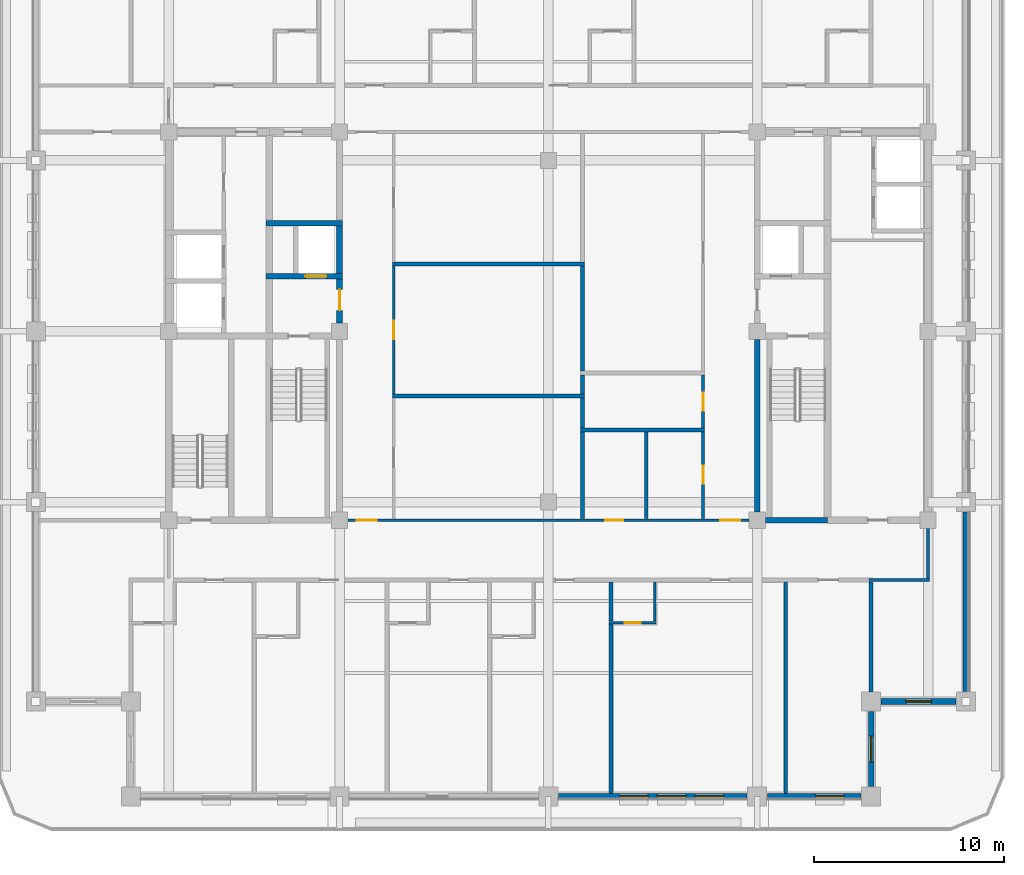
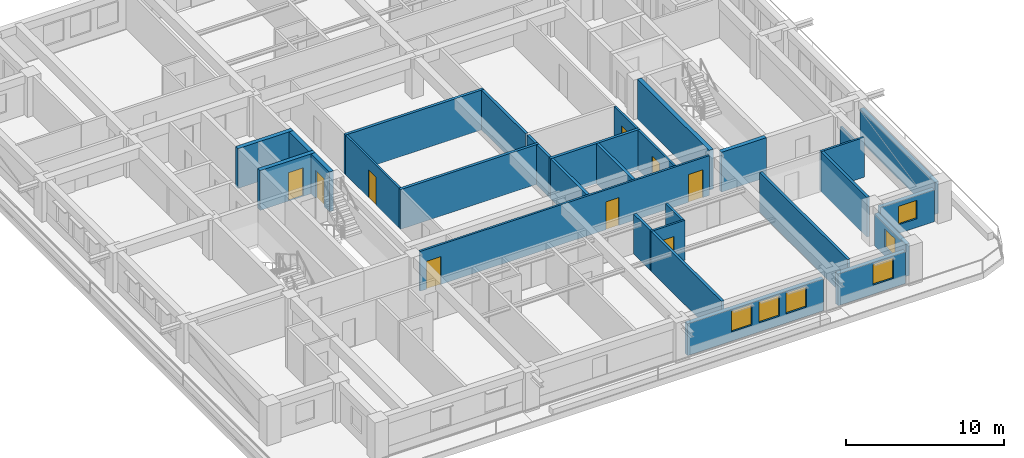
# One storey, part 4 of 14: 31 walls, 9 doors, 6 windows, 15 openings.
"""IFC4 building model written with IfcOpenShell, lengths in metres."""

from ifc_helpers import new_model, si_unit, direction, frame, frame_2d, origin, place, context, subcontext, project, spatial, rectangle, extrude, material, layer, layer_set, type_object, element, fill, save


model = new_model("IFC4")

# Units and contexts
model_context = context("Model", 3, precision=1e-05, world=origin(), true_north=direction((0.0, 1.0)))
body_context = subcontext(model_context, "Body", "Model", "MODEL_VIEW")
ifc_project = project(units=[si_unit("LENGTHUNIT", "METRE"), si_unit("AREAUNIT", "SQUARE_METRE"), si_unit("VOLUMEUNIT", "CUBIC_METRE"), si_unit("PLANEANGLEUNIT", "RADIAN"), si_unit("MASSUNIT", "GRAM", prefix="KILO")], contexts=[model_context])

# Site, building, storey
site_placement = place(None, origin())
site = spatial("IfcSite", under=ifc_project, at=site_placement, CompositionType="ELEMENT")
building_placement = place(site_placement, origin())
building = spatial("IfcBuilding", under=site, at=building_placement, Name="Zulmaris Gate Convention Tower", CompositionType="ELEMENT")
storey_placement = place(building_placement, frame((0.0, 0.0, 208.4599609375)))
storey = spatial("IfcBuildingStorey", under=building, at=storey_placement, Name="L54", CompositionType="ELEMENT", Elevation=208.4599609375)

# Wall
ifc_material_1 = material(Name="Concrete C50/60", Category="concrete")
ifc_layer_1 = layer(ifc_material_1, 0.300048828125, Name="Concrete C50/60")
ifc_layer_set_1 = layer_set([ifc_layer_1], Name="Concrete C50/60")
wall_type_1 = type_object("IfcWallType", Name="CORE-300", PredefinedType="SHEAR", material=ifc_layer_set_1)
wall_1_placement = place(storey_placement, frame((11.428955078125, -9.949951171875, 0.0), z_axis=(0.0, 0.0, 1.0), x_axis=(1.0, 0.0, 0.0)))
element("IfcWall", 1, at=wall_1_placement, inside=storey, type_object=wall_type_1, Name="WL-L54-003", PredefinedType="SHEAR", context=body_context, shape_type="SweptSolid", body=[
    extrude(rectangle(XDim=3.27099609375, YDim=0.300048828125, at=frame_2d((1.635498046875, 0.0))), origin(), (0.0, 0.0, 1.0), 3.074951171875),
])

# Wall, opening, door
wall_2_placement = place(storey_placement, frame((-14.875, 2.89990234375, 0.0), z_axis=(0.0, 0.0, 1.0), x_axis=(1.0, 0.0, 0.0)))
wall_2 = element("IfcWall", 2, at=wall_2_placement, inside=storey, type_object=wall_type_1, Name="WL-L54-008", PredefinedType="SHEAR", context=body_context, shape_type="SweptSolid", body=[
    extrude(rectangle(XDim=4.02490234375, YDim=0.300048828125, at=frame_2d((2.012451171875, 0.0))), origin(), (0.0, 0.0, 1.0), 3.074951171875),
])
opening_1_placement = place(wall_2_placement, frame((2.074951171875, 0.0, 0.0)))
opening_1 = element("IfcOpeningElement", 3, at=opening_1_placement, cuts=wall_2, Name="Opening D-06", PredefinedType="OPENING", context=body_context, shape_type="SweptSolid", body=[
    extrude(rectangle(XDim=1.10009765625, YDim=2.199951171875, at=frame_2d((0.550048828125, 1.10009765625))), frame((0.0, 0.16015625, 0.0), z_axis=(0.0, -1.0, 0.0), x_axis=(1.0, 0.0, 0.0)), (0.0, 0.0, 1.0), 0.320068359375),
])
ifc_material_2 = material(Name="Brushed Stainless Steel", Category="steel")
door_type_1 = type_object("IfcDoorType", Name="LD-1100", OperationType="NOTDEFINED", PredefinedType="DOOR", material=ifc_material_2)
door_1_placement = place(opening_1_placement, origin())
door_1 = element("IfcDoor", 4, at=door_1_placement, inside=storey, type_object=door_type_1, Name="L54 Lift Landing Door LF-01 03", OperationType="SLIDING_TO_LEFT", OverallHeight=2.199951171875, OverallWidth=1.10009765625, PredefinedType="DOOR", context=body_context, shape_type="SweptSolid", body=[
    extrude(rectangle(XDim=1.10009765625, YDim=2.199951171875, at=frame_2d((0.550048828125, 1.10009765625))), frame((0.0, 0.02490234375, 0.0), z_axis=(0.0, -1.0, 0.0), x_axis=(1.0, 0.0, 0.0)), (0.0, 0.0, 1.0), 0.050048828125),
])
fill(opening_1, door_1)

# Wall
wall_3_placement = place(storey_placement, frame((-14.875, 5.699951171875, 0.0), z_axis=(0.0, 0.0, 1.0), x_axis=(1.0, 0.0, 0.0)))
element("IfcWall", 5, at=wall_3_placement, inside=storey, type_object=wall_type_1, Name="WL-L54-012", PredefinedType="SHEAR", context=body_context, shape_type="SweptSolid", body=[
    extrude(rectangle(XDim=4.02490234375, YDim=0.300048828125, at=frame_2d((2.012451171875, 0.0))), origin(), (0.0, 0.0, 1.0), 3.074951171875),
])

# Wall, opening, door
wall_4_placement = place(storey_placement, frame((-11.0, 0.428955078125, 0.0), z_axis=(0.0, 0.0, 1.0), x_axis=(0.0, 1.0, 0.0)))
wall_4 = element("IfcWall", 6, at=wall_4_placement, inside=storey, type_object=wall_type_1, Name="WL-L54-056", PredefinedType="SHEAR", context=body_context, shape_type="SweptSolid", body=[
    extrude(rectangle(XDim=2.319091796875, YDim=0.300048828125, at=frame_2d((1.15966796875, 0.0))), origin(), (0.0, 0.0, 1.0), 3.074951171875),
])
opening_2_placement = place(wall_4_placement, frame((0.6708984375, 0.0, 0.0)))
opening_2 = element("IfcOpeningElement", 7, at=opening_2_placement, cuts=wall_4, Name="Opening D-08", PredefinedType="OPENING", context=body_context, shape_type="SweptSolid", body=[
    extrude(rectangle(XDim=1.10009765625, YDim=2.14990234375, at=frame_2d((0.550048828125, 1.074951171875))), frame((0.0, 0.16015625, 0.0), z_axis=(0.0, -1.0, 0.0), x_axis=(1.0, 0.0, 0.0)), (0.0, 0.0, 1.0), 0.320068359375),
])
ifc_material_3 = material(Name="Fire-Rated Steel", Category="steel")
door_type_2 = type_object("IfcDoorType", Name="DR-1100-FD", OperationType="NOTDEFINED", PredefinedType="DOOR", material=ifc_material_3)
door_2_placement = place(opening_2_placement, origin())
door_2 = element("IfcDoor", 8, at=door_2_placement, inside=storey, type_object=door_type_2, Name="L54 West Firefighting Lobby Door 02", OperationType="SINGLE_SWING_LEFT", OverallHeight=2.14990234375, OverallWidth=1.10009765625, PredefinedType="DOOR", context=body_context, shape_type="SweptSolid", body=[
    extrude(rectangle(XDim=1.10009765625, YDim=2.14990234375, at=frame_2d((0.550048828125, 1.074951171875))), frame((0.0, 0.02490234375, 0.0), z_axis=(0.0, -1.0, 0.0), x_axis=(1.0, 0.0, 0.0)), (0.0, 0.0, 1.0), 0.050048828125),
])
fill(opening_2, door_2)

# Walls
wall_5_placement = place(storey_placement, frame((-11.0, 3.052001953125, 0.0), z_axis=(0.0, 0.0, 1.0), x_axis=(0.0, 1.0, 0.0)))
element("IfcWall", 9, at=wall_5_placement, inside=storey, type_object=wall_type_1, Name="WL-L54-057", PredefinedType="SHEAR", context=body_context, shape_type="SweptSolid", body=[
    extrude(rectangle(XDim=2.49609375, YDim=0.300048828125, at=frame_2d((1.248046875, 0.0))), origin(), (0.0, 0.0, 1.0), 3.074951171875),
])
wall_6_placement = place(storey_placement, frame((11.0, -9.52099609375, 0.0), z_axis=(0.0, 0.0, 1.0), x_axis=(0.0, 1.0, 0.0)))
element("IfcWall", 10, at=wall_6_placement, inside=storey, type_object=wall_type_1, Name="WL-L54-059", PredefinedType="SHEAR", context=body_context, shape_type="SweptSolid", body=[
    extrude(rectangle(XDim=9.092041015625, YDim=0.300048828125, at=frame_2d((4.5458984375, 0.0))), origin(), (0.0, 0.0, 1.0), 3.074951171875),
])

# Wall, opening, door
ifc_material_4 = material(Name="Gypsum Metal Stud Partition")
ifc_layer_2 = layer(ifc_material_4, 0.14990234375, Name="Gypsum Metal Stud Partition")
ifc_layer_set_2 = layer_set([ifc_layer_2], Name="Gypsum Metal Stud Partition")
wall_type_2 = type_object("IfcWallType", Name="PART-150", PredefinedType="PARTITIONING", material=ifc_layer_set_2)
wall_7_placement = place(storey_placement, frame((3.199951171875, -15.35009765625, 0.0), z_axis=(0.0, 0.0, 1.0), x_axis=(1.0, 0.0, 0.0)))
wall_7 = element("IfcWall", 11, at=wall_7_placement, inside=storey, type_object=wall_type_2, Name="WL-L54-023", PredefinedType="PARTITIONING", context=body_context, shape_type="SweptSolid", body=[
    extrude(rectangle(XDim=2.47509765625, YDim=0.14990234375, at=frame_2d((1.237548828125, 0.0))), origin(), (0.0, 0.0, 1.0), 3.074951171875),
])
opening_3_placement = place(wall_7_placement, frame((0.824951171875, 0.0, 0.0)))
opening_3 = element("IfcOpeningElement", 12, at=opening_3_placement, cuts=wall_7, Name="Opening D-17", PredefinedType="OPENING", context=body_context, shape_type="SweptSolid", body=[
    extrude(rectangle(XDim=0.85009765625, YDim=2.10009765625, at=frame_2d((0.425048828125, 1.050048828125))), frame((0.0, 0.0849609375, 0.0), z_axis=(0.0, -1.0, 0.0), x_axis=(1.0, 0.0, 0.0)), (0.0, 0.0, 1.0), 0.169921875),
])
ifc_material_5 = material(Name="Moisture-Resistant Hardwood Timber", Category="wood")
door_type_3 = type_object("IfcDoorType", Name="DR-850", OperationType="NOTDEFINED", PredefinedType="DOOR", material=ifc_material_5)
door_3_placement = place(opening_3_placement, origin())
door_3 = element("IfcDoor", 13, at=door_3_placement, inside=storey, type_object=door_type_3, Name="L54 En-Suite Door 39", OperationType="SINGLE_SWING_RIGHT", OverallHeight=2.10009765625, OverallWidth=0.85009765625, PredefinedType="DOOR", context=body_context, shape_type="SweptSolid", body=[
    extrude(rectangle(XDim=0.85009765625, YDim=2.10009765625, at=frame_2d((0.425048828125, 1.050048828125))), frame((0.0, 0.02490234375, 0.0), z_axis=(0.0, -1.0, 0.0), x_axis=(1.0, 0.0, 0.0)), (0.0, 0.0, 1.0), 0.050048828125),
])
fill(opening_3, door_3)

# Wall
wall_8_placement = place(storey_placement, frame((16.89990234375, -13.10009765625, 0.0), z_axis=(0.0, 0.0, 1.0), x_axis=(1.0, 0.0, 0.0)))
element("IfcWall", 14, at=wall_8_placement, inside=storey, type_object=wall_type_2, Name="WL-L54-025", PredefinedType="PARTITIONING", context=body_context, shape_type="SweptSolid", body=[
    extrude(rectangle(XDim=3.175048828125, YDim=0.14990234375, at=frame_2d((1.58740234375, 0.0))), origin(), (0.0, 0.0, 1.0), 3.074951171875),
])

# Wall, openings, doors
wall_9_placement = place(storey_placement, frame((-10.569091796875, -9.949951171875, 0.0), z_axis=(0.0, 0.0, 1.0), x_axis=(1.0, 0.0, 0.0)))
wall_9 = element("IfcWall", 15, at=wall_9_placement, inside=storey, type_object=wall_type_2, Name="WL-L54-027", PredefinedType="PARTITIONING", context=body_context, shape_type="SweptSolid", body=[
    extrude(rectangle(XDim=21.13818359375, YDim=0.14990234375, at=frame_2d((10.569091796875, 0.0))), origin(), (0.0, 0.0, 1.0), 3.074951171875),
])
opening_4_placement = place(wall_9_placement, frame((0.47412109375, 0.0, 0.0)))
opening_4 = element("IfcOpeningElement", 16, at=opening_4_placement, cuts=wall_9, Name="Opening D-09", PredefinedType="OPENING", context=body_context, shape_type="SweptSolid", body=[
    extrude(rectangle(XDim=1.050048828125, YDim=2.14990234375, at=frame_2d((0.52490234375, 1.074951171875))), frame((0.0, 0.0849609375, 0.0), z_axis=(0.0, -1.0, 0.0), x_axis=(1.0, 0.0, 0.0)), (0.0, 0.0, 1.0), 0.169921875),
])
opening_5_placement = place(wall_9_placement, frame((19.614013671875, 0.0, 0.0)))
opening_5 = element("IfcOpeningElement", 17, at=opening_5_placement, cuts=wall_9, Name="Opening D-09", PredefinedType="OPENING", context=body_context, shape_type="SweptSolid", body=[
    extrude(rectangle(XDim=1.050048828125, YDim=2.14990234375, at=frame_2d((0.52490234375, 1.074951171875))), frame((0.0, 0.0849609375, 0.0), z_axis=(0.0, -1.0, 0.0), x_axis=(1.0, 0.0, 0.0)), (0.0, 0.0, 1.0), 0.169921875),
])
opening_6_placement = place(wall_9_placement, frame((13.573974609375, 0.0, 0.0)))
opening_6 = element("IfcOpeningElement", 18, at=opening_6_placement, cuts=wall_9, Name="Opening D-11", PredefinedType="OPENING", context=body_context, shape_type="SweptSolid", body=[
    extrude(rectangle(XDim=0.949951171875, YDim=2.14990234375, at=frame_2d((0.47509765625, 1.074951171875))), frame((0.0, 0.0849609375, 0.0), z_axis=(0.0, -1.0, 0.0), x_axis=(1.0, 0.0, 0.0)), (0.0, 0.0, 1.0), 0.169921875),
])
door_type_4 = type_object("IfcDoorType", Name="DR-1050-FD", OperationType="NOTDEFINED", PredefinedType="DOOR", material=ifc_material_3)
door_4_placement = place(opening_4_placement, origin())
door_4 = element("IfcDoor", 19, at=door_4_placement, inside=storey, type_object=door_type_4, Name="L54 SW Hotel Loop Door 19", OperationType="SINGLE_SWING_RIGHT", OverallHeight=2.14990234375, OverallWidth=1.050048828125, PredefinedType="DOOR", context=body_context, shape_type="SweptSolid", body=[
    extrude(rectangle(XDim=1.050048828125, YDim=2.14990234375, at=frame_2d((0.52490234375, 1.074951171875))), frame((0.0, 0.02490234375, 0.0), z_axis=(0.0, -1.0, 0.0), x_axis=(1.0, 0.0, 0.0)), (0.0, 0.0, 1.0), 0.050048828125),
])
fill(opening_4, door_4)
door_5_placement = place(opening_5_placement, origin())
door_5 = element("IfcDoor", 20, at=door_5_placement, inside=storey, type_object=door_type_4, Name="L54 SE Hotel Loop Door 21", OperationType="SINGLE_SWING_RIGHT", OverallHeight=2.14990234375, OverallWidth=1.050048828125, PredefinedType="DOOR", context=body_context, shape_type="SweptSolid", body=[
    extrude(rectangle(XDim=1.050048828125, YDim=2.14990234375, at=frame_2d((0.52490234375, 1.074951171875))), frame((0.0, 0.02490234375, 0.0), z_axis=(0.0, -1.0, 0.0), x_axis=(1.0, 0.0, 0.0)), (0.0, 0.0, 1.0), 0.050048828125),
])
fill(opening_5, door_5)
ifc_material_6 = material(Name="Fire-Rated Timber", Category="wood")
door_type_5 = type_object("IfcDoorType", Name="DR-950-FD", OperationType="NOTDEFINED", PredefinedType="DOOR", material=ifc_material_6)
door_6_placement = place(opening_6_placement, origin())
door_6 = element("IfcDoor", 21, at=door_6_placement, inside=storey, type_object=door_type_5, Name="L54 Staging Store Door 47", OperationType="SINGLE_SWING_RIGHT", OverallHeight=2.14990234375, OverallWidth=0.949951171875, PredefinedType="DOOR", context=body_context, shape_type="SweptSolid", body=[
    extrude(rectangle(XDim=0.949951171875, YDim=2.14990234375, at=frame_2d((0.47509765625, 1.074951171875))), frame((0.0, 0.02490234375, 0.0), z_axis=(0.0, -1.0, 0.0), x_axis=(1.0, 0.0, 0.0)), (0.0, 0.0, 1.0), 0.050048828125),
])
fill(opening_6, door_6)

# Wall, opening, door
wall_10_placement = place(storey_placement, frame((-8.14990234375, -3.297119140625, 0.0), z_axis=(0.0, 0.0, 1.0), x_axis=(0.0, 1.0, 0.0)))
wall_10 = element("IfcWall", 22, at=wall_10_placement, inside=storey, type_object=wall_type_2, Name="WL-L54-090", PredefinedType="PARTITIONING", context=body_context, shape_type="SweptSolid", body=[
    extrude(rectangle(XDim=6.744140625, YDim=0.14990234375, at=frame_2d((3.3720703125, 0.0))), origin(), (0.0, 0.0, 1.0), 3.074951171875),
])
opening_7_placement = place(wall_10_placement, frame((2.89208984375, 0.0, 0.0)))
opening_7 = element("IfcOpeningElement", 23, at=opening_7_placement, cuts=wall_10, Name="Opening D-11", PredefinedType="OPENING", context=body_context, shape_type="SweptSolid", body=[
    extrude(rectangle(XDim=0.949951171875, YDim=2.14990234375, at=frame_2d((0.47509765625, 1.074951171875))), frame((0.0, 0.0849609375, 0.0), z_axis=(0.0, -1.0, 0.0), x_axis=(1.0, 0.0, 0.0)), (0.0, 0.0, 1.0), 0.169921875),
])
door_7_placement = place(opening_7_placement, origin())
door_7 = element("IfcDoor", 24, at=door_7_placement, inside=storey, type_object=door_type_5, Name="L54 Tea Salon Door 42", OperationType="SINGLE_SWING_LEFT", OverallHeight=2.14990234375, OverallWidth=0.949951171875, PredefinedType="DOOR", context=body_context, shape_type="SweptSolid", body=[
    extrude(rectangle(XDim=0.949951171875, YDim=2.14990234375, at=frame_2d((0.47509765625, 1.074951171875))), frame((0.0, 0.02490234375, 0.0), z_axis=(0.0, -1.0, 0.0), x_axis=(1.0, 0.0, 0.0)), (0.0, 0.0, 1.0), 0.050048828125),
])
fill(opening_7, door_7)

# Wall
wall_11_placement = place(storey_placement, frame((5.60009765625, -15.27197265625, 0.0), z_axis=(0.0, 0.0, 1.0), x_axis=(0.0, 1.0, 0.0)))
element("IfcWall", 25, at=wall_11_placement, inside=storey, type_object=wall_type_2, Name="WL-L54-110", PredefinedType="PARTITIONING", context=body_context, shape_type="SweptSolid", body=[
    extrude(rectangle(XDim=2.069091796875, YDim=0.14990234375, at=frame_2d((1.03466796875, 0.0))), origin(), (0.0, 0.0, 1.0), 3.074951171875),
])

# Wall, opening, door
wall_12_placement = place(storey_placement, frame((8.14990234375, -9.8720703125, 0.0), z_axis=(0.0, 0.0, 1.0), x_axis=(0.0, 1.0, 0.0)))
wall_12 = element("IfcWall", 26, at=wall_12_placement, inside=storey, type_object=wall_type_2, Name="WL-L54-111", PredefinedType="PARTITIONING", context=body_context, shape_type="SweptSolid", body=[
    extrude(rectangle(XDim=4.569091796875, YDim=0.14990234375, at=frame_2d((2.28466796875, 0.0))), origin(), (0.0, 0.0, 1.0), 3.074951171875),
])
opening_8_placement = place(wall_12_placement, frame((1.846923828125, 0.0, 0.0)))
opening_8 = element("IfcOpeningElement", 27, at=opening_8_placement, cuts=wall_12, Name="Opening D-11", PredefinedType="OPENING", context=body_context, shape_type="SweptSolid", body=[
    extrude(rectangle(XDim=0.949951171875, YDim=2.14990234375, at=frame_2d((0.47509765625, 1.074951171875))), frame((0.0, 0.0849609375, 0.0), z_axis=(0.0, -1.0, 0.0), x_axis=(1.0, 0.0, 0.0)), (0.0, 0.0, 1.0), 0.169921875),
])
door_8_placement = place(opening_8_placement, origin())
door_8 = element("IfcDoor", 28, at=door_8_placement, inside=storey, type_object=door_type_5, Name="L54 Accessible WC Door 46", OperationType="SINGLE_SWING_LEFT", OverallHeight=2.14990234375, OverallWidth=0.949951171875, PredefinedType="DOOR", context=body_context, shape_type="SweptSolid", body=[
    extrude(rectangle(XDim=0.949951171875, YDim=2.14990234375, at=frame_2d((0.47509765625, 1.074951171875))), frame((0.0, 0.02490234375, 0.0), z_axis=(0.0, -1.0, 0.0), x_axis=(1.0, 0.0, 0.0)), (0.0, 0.0, 1.0), 0.050048828125),
])
fill(opening_8, door_8)

wall_13_placement = place(storey_placement, frame((8.14990234375, -5.096923828125, 0.0), z_axis=(0.0, 0.0, 1.0), x_axis=(0.0, 1.0, 0.0)))
wall_13 = element("IfcWall", 29, at=wall_13_placement, inside=storey, type_object=wall_type_2, Name="WL-L54-112", PredefinedType="PARTITIONING", context=body_context, shape_type="SweptSolid", body=[
    extrude(rectangle(XDim=2.7939453125, YDim=0.14990234375, at=frame_2d((1.39697265625, 0.0))), origin(), (0.0, 0.0, 1.0), 3.074951171875),
])
opening_9_placement = place(wall_13_placement, frame((0.922119140625, 0.0, 0.0)))
opening_9 = element("IfcOpeningElement", 30, at=opening_9_placement, cuts=wall_13, Name="Opening D-11", PredefinedType="OPENING", context=body_context, shape_type="SweptSolid", body=[
    extrude(rectangle(XDim=0.949951171875, YDim=2.14990234375, at=frame_2d((0.47509765625, 1.074951171875))), frame((0.0, 0.0849609375, 0.0), z_axis=(0.0, -1.0, 0.0), x_axis=(1.0, 0.0, 0.0)), (0.0, 0.0, 1.0), 0.169921875),
])
door_9_placement = place(opening_9_placement, origin())
door_9 = element("IfcDoor", 31, at=door_9_placement, inside=storey, type_object=door_type_5, Name="L54 Public WC Door 45", OperationType="SINGLE_SWING_RIGHT", OverallHeight=2.14990234375, OverallWidth=0.949951171875, PredefinedType="DOOR", context=body_context, shape_type="SweptSolid", body=[
    extrude(rectangle(XDim=0.949951171875, YDim=2.14990234375, at=frame_2d((0.47509765625, 1.074951171875))), frame((0.0, 0.02490234375, 0.0), z_axis=(0.0, -1.0, 0.0), x_axis=(1.0, 0.0, 0.0)), (0.0, 0.0, 1.0), 0.050048828125),
])
fill(opening_9, door_9)

# Walls
wall_14_placement = place(storey_placement, frame((20.0, -13.02197265625, 0.0), z_axis=(0.0, 0.0, 1.0), x_axis=(0.0, 1.0, 0.0)))
element("IfcWall", 32, at=wall_14_placement, inside=storey, type_object=wall_type_2, Name="WL-L54-119", PredefinedType="PARTITIONING", context=body_context, shape_type="SweptSolid", body=[
    extrude(rectangle(XDim=2.640869140625, YDim=0.14990234375, at=frame_2d((1.3203125, 0.0))), origin(), (0.0, 0.0, 1.0), 2.266845703125),
])
ifc_material_7 = material(Name="Autoclaved Aerated Concrete Block and Plasterboard", Category="concrete")
ifc_layer_3 = layer(ifc_material_7, 0.199951171875, Name="Autoclaved Aerated Concrete Block and Plasterboard")
ifc_layer_set_3 = layer_set([ifc_layer_3], Name="Autoclaved Aerated Concrete Block and Plasterboard")
wall_type_3 = type_object("IfcWallType", Name="PART-200", PredefinedType="PARTITIONING", material=ifc_layer_set_3)
wall_15_placement = place(storey_placement, frame((1.699951171875, -5.199951171875, 0.0), z_axis=(0.0, 0.0, 1.0), x_axis=(1.0, 0.0, 0.0)))
element("IfcWall", 33, at=wall_15_placement, inside=storey, type_object=wall_type_3, Name="WL-L54-028", PredefinedType="PARTITIONING", context=body_context, shape_type="SweptSolid", body=[
    extrude(rectangle(XDim=6.525146484375, YDim=0.199951171875, at=frame_2d((3.2626953125, 0.0))), origin(), (0.0, 0.0, 1.0), 3.074951171875),
])
for number, where, z_axis, x_axis, name in (
    (34, (-8.22509765625, -3.39990234375, 0.0), (0.0, 0.0, 1.0), (1.0, 0.0, 0.0), "WL-L54-029"),
    (35, (-8.22509765625, 3.550048828125, 0.0), (0.0, 0.0, 1.0), (1.0, 0.0, 0.0), "WL-L54-031"),
):
    element("IfcWall", number, at=place(storey_placement, frame(where, z_axis=z_axis, x_axis=x_axis)), inside=storey, type_object=wall_type_3, Name=name, PredefinedType="PARTITIONING", context=body_context, shape_type="SweptSolid", body=[
        extrude(rectangle(XDim=10.125, YDim=0.199951171875, at=frame_2d((5.0625, 0.0))), origin(), (0.0, 0.0, 1.0), 3.074951171875),
    ])
wall_16_placement = place(storey_placement, frame((1.800048828125, -9.8720703125, 0.0), z_axis=(0.0, 0.0, 1.0), x_axis=(0.0, 1.0, 0.0)))
element("IfcWall", 36, at=wall_16_placement, inside=storey, type_object=wall_type_3, Name="WL-L54-099", PredefinedType="PARTITIONING", context=body_context, shape_type="SweptSolid", body=[
    extrude(rectangle(XDim=4.569091796875, YDim=0.199951171875, at=frame_2d((2.28466796875, 0.0))), origin(), (0.0, 0.0, 1.0), 3.074951171875),
])
wall_17_placement = place(storey_placement, frame((1.800048828125, -5.096923828125, 0.0), z_axis=(0.0, 0.0, 1.0), x_axis=(0.0, 1.0, 0.0)))
element("IfcWall", 37, at=wall_17_placement, inside=storey, type_object=wall_type_3, Name="WL-L54-100", PredefinedType="PARTITIONING", context=body_context, shape_type="SweptSolid", body=[
    extrude(rectangle(XDim=1.593994140625, YDim=0.199951171875, at=frame_2d((0.796875, 0.0))), origin(), (0.0, 0.0, 1.0), 3.074951171875),
])
wall_18_placement = place(storey_placement, frame((1.800048828125, -3.297119140625, 0.0), z_axis=(0.0, 0.0, 1.0), x_axis=(0.0, 1.0, 0.0)))
element("IfcWall", 38, at=wall_18_placement, inside=storey, type_object=wall_type_3, Name="WL-L54-101", PredefinedType="PARTITIONING", context=body_context, shape_type="SweptSolid", body=[
    extrude(rectangle(XDim=0.994140625, YDim=0.199951171875, at=frame_2d((0.4970703125, 0.0))), origin(), (0.0, 0.0, 1.0), 3.074951171875),
])
wall_19_placement = place(storey_placement, frame((1.800048828125, -2.096923828125, 0.0), z_axis=(0.0, 0.0, 1.0), x_axis=(0.0, 1.0, 0.0)))
element("IfcWall", 39, at=wall_19_placement, inside=storey, type_object=wall_type_3, Name="WL-L54-102", PredefinedType="PARTITIONING", context=body_context, shape_type="SweptSolid", body=[
    extrude(rectangle(XDim=5.5439453125, YDim=0.199951171875, at=frame_2d((2.77197265625, 0.0))), origin(), (0.0, 0.0, 1.0), 3.074951171875),
])
wall_20_placement = place(storey_placement, frame((3.300048828125, -24.3349609375, 0.0), z_axis=(0.0, 0.0, 1.0), x_axis=(0.0, 1.0, 0.0)))
element("IfcWall", 40, at=wall_20_placement, inside=storey, type_object=wall_type_3, Name="WL-L54-105", PredefinedType="PARTITIONING", context=body_context, shape_type="SweptSolid", body=[
    extrude(rectangle(XDim=8.906982421875, YDim=0.199951171875, at=frame_2d((4.45361328125, 0.0))), origin(), (0.0, 0.0, 1.0), 3.074951171875),
])
wall_21_placement = place(storey_placement, frame((3.300048828125, -15.27197265625, 0.0), z_axis=(0.0, 0.0, 1.0), x_axis=(0.0, 1.0, 0.0)))
element("IfcWall", 41, at=wall_21_placement, inside=storey, type_object=wall_type_3, Name="WL-L54-106", PredefinedType="PARTITIONING", context=body_context, shape_type="SweptSolid", body=[
    extrude(rectangle(XDim=2.069091796875, YDim=0.199951171875, at=frame_2d((1.03466796875, 0.0))), origin(), (0.0, 0.0, 1.0), 3.074951171875),
])
wall_22_placement = place(storey_placement, frame((5.14990234375, -9.8720703125, 0.0), z_axis=(0.0, 0.0, 1.0), x_axis=(0.0, 1.0, 0.0)))
element("IfcWall", 42, at=wall_22_placement, inside=storey, type_object=wall_type_3, Name="WL-L54-109", PredefinedType="PARTITIONING", context=body_context, shape_type="SweptSolid", body=[
    extrude(rectangle(XDim=4.569091796875, YDim=0.199951171875, at=frame_2d((2.28466796875, 0.0))), origin(), (0.0, 0.0, 1.0), 3.074951171875),
])
wall_23_placement = place(storey_placement, frame((12.5, -24.3349609375, 0.0), z_axis=(0.0, 0.0, 1.0), x_axis=(0.0, 1.0, 0.0)))
element("IfcWall", 43, at=wall_23_placement, inside=storey, type_object=wall_type_3, Name="WL-L54-114", PredefinedType="PARTITIONING", context=body_context, shape_type="SweptSolid", body=[
    extrude(rectangle(XDim=11.132080078125, YDim=0.199951171875, at=frame_2d((5.56591796875, 0.0))), origin(), (0.0, 0.0, 1.0), 3.074951171875),
])
wall_24_placement = place(storey_placement, frame((17.0, -18.993896484375, 0.0), z_axis=(0.0, 0.0, 1.0), x_axis=(0.0, 1.0, 0.0)))
element("IfcWall", 44, at=wall_24_placement, inside=storey, type_object=wall_type_3, Name="WL-L54-116", PredefinedType="PARTITIONING", context=body_context, shape_type="SweptSolid", body=[
    extrude(rectangle(XDim=5.791015625, YDim=0.199951171875, at=frame_2d((2.8955078125, 0.0))), origin(), (0.0, 0.0, 1.0), 3.074951171875),
])

# Wall, opening, window
ifc_material_8 = material(Name="Precast concrete C40/50", Category="concrete")
ifc_layer_4 = layer(ifc_material_8, 0.300048828125, Name="Precast concrete C40/50")
ifc_layer_set_4 = layer_set([ifc_layer_4], Name="Precast concrete C40/50")
wall_type_4 = type_object("IfcWallType", Name="PRECAST-PIER-300", PredefinedType="STANDARD", material=ifc_layer_set_4)
wall_25_placement = place(storey_placement, frame((17.0, -23.969970703125, 0.0), z_axis=(0.0, 0.0, 1.0), x_axis=(0.0, 1.0, 0.0)))
wall_25 = element("IfcWall", 45, at=wall_25_placement, inside=storey, type_object=wall_type_4, Name="EW-L54-NOTCH-SE1_0", PredefinedType="STANDARD", context=body_context, shape_type="SweptSolid", body=[
    extrude(rectangle(XDim=3.93994140625, YDim=0.300048828125, at=frame_2d((1.969970703125, 0.0))), origin(), (0.0, 0.0, 1.0), 2.467041015625),
])
opening_10_placement = place(wall_25_placement, frame((1.294921875, 0.0, 0.679931640625)))
opening_10 = element("IfcOpeningElement", 46, at=opening_10_placement, cuts=wall_25, Name="Opening W-10", PredefinedType="OPENING", context=body_context, shape_type="SweptSolid", body=[
    extrude(rectangle(XDim=1.35009765625, YDim=1.419921875, at=frame_2d((0.675048828125, 0.7099609375))), frame((0.0, 0.16015625, 0.0), z_axis=(0.0, -1.0, 0.0), x_axis=(1.0, 0.0, 0.0)), (0.0, 0.0, 1.0), 0.320068359375),
])
ifc_material_9 = material(Name="Low-E Laminated Double Glazing in Aluminium Frame", Category="aluminium")
window_type_1 = type_object("IfcWindowType", Name="WIN-1350x2000", PartitioningType="SINGLE_PANEL", PredefinedType="WINDOW", material=ifc_material_9)
window_1_placement = place(opening_10_placement, origin())
window_1 = element("IfcWindow", 47, at=window_1_placement, inside=storey, type_object=window_type_1, Name="WN-EW-L54-NOTCH-SE1_0", OverallHeight=1.419921875, OverallWidth=1.35009765625, PartitioningType="SINGLE_PANEL", PredefinedType="WINDOW", context=body_context, shape_type="SweptSolid", body=[
    extrude(rectangle(XDim=1.35009765625, YDim=1.419921875, at=frame_2d((0.675048828125, 0.7099609375))), frame((0.0, 0.030029296875, 0.0), z_axis=(0.0, -1.0, 0.0), x_axis=(1.0, 0.0, 0.0)), (0.0, 0.0, 1.0), 0.06005859375),
])
fill(opening_10, window_1)

wall_26_placement = place(storey_placement, frame((17.530029296875, -19.5, 0.0), z_axis=(0.0, 0.0, 1.0), x_axis=(1.0, 0.0, 0.0)))
wall_26 = element("IfcWall", 48, at=wall_26_placement, inside=storey, type_object=wall_type_4, Name="EW-L54-NOTCH-SE2_0", PredefinedType="STANDARD", context=body_context, shape_type="SweptSolid", body=[
    extrude(rectangle(XDim=3.93994140625, YDim=0.300048828125, at=frame_2d((1.969970703125, 0.0))), origin(), (0.0, 0.0, 1.0), 2.467041015625),
])
opening_11_placement = place(wall_26_placement, frame((1.294921875, 0.0, 0.679931640625)))
opening_11 = element("IfcOpeningElement", 49, at=opening_11_placement, cuts=wall_26, Name="Opening W-10", PredefinedType="OPENING", context=body_context, shape_type="SweptSolid", body=[
    extrude(rectangle(XDim=1.35009765625, YDim=1.419921875, at=frame_2d((0.675048828125, 0.7099609375))), frame((0.0, 0.16015625, 0.0), z_axis=(0.0, -1.0, 0.0), x_axis=(1.0, 0.0, 0.0)), (0.0, 0.0, 1.0), 0.320068359375),
])
window_2_placement = place(opening_11_placement, origin())
window_2 = element("IfcWindow", 50, at=window_2_placement, inside=storey, type_object=window_type_1, Name="WN-EW-L54-NOTCH-SE2_0", OverallHeight=1.419921875, OverallWidth=1.35009765625, PartitioningType="SINGLE_PANEL", PredefinedType="WINDOW", context=body_context, shape_type="SweptSolid", body=[
    extrude(rectangle(XDim=1.35009765625, YDim=1.419921875, at=frame_2d((0.675048828125, 0.7099609375))), frame((0.0, 0.030029296875, 0.0), z_axis=(0.0, -1.0, 0.0), x_axis=(1.0, 0.0, 0.0)), (0.0, 0.0, 1.0), 0.06005859375),
])
fill(opening_11, window_2)

# Wall, openings, windows
wall_27_placement = place(storey_placement, frame((0.530029296875, -24.5, 0.0), z_axis=(0.0, 0.0, 1.0), x_axis=(1.0, 0.0, 0.0)))
wall_27 = element("IfcWall", 51, at=wall_27_placement, inside=storey, type_object=wall_type_4, Name="EW-L54-S-2_0", PredefinedType="STANDARD", context=body_context, shape_type="SweptSolid", body=[
    extrude(rectangle(XDim=9.93994140625, YDim=0.300048828125, at=frame_2d((4.969970703125, 0.0))), origin(), (0.0, 0.0, 1.0), 2.467041015625),
])
opening_12_placement = place(wall_27_placement, frame((3.22607421875, 0.0, 0.719970703125)))
opening_12 = element("IfcOpeningElement", 52, at=opening_12_placement, cuts=wall_27, Name="Opening W-03", PredefinedType="OPENING", context=body_context, shape_type="SweptSolid", body=[
    extrude(rectangle(XDim=1.5, YDim=1.60009765625, at=frame_2d((0.75, 0.800048828125))), frame((0.0, 0.16015625, 0.0), z_axis=(0.0, -1.0, 0.0), x_axis=(1.0, 0.0, 0.0)), (0.0, 0.0, 1.0), 0.320068359375),
])
opening_13_placement = place(wall_27_placement, frame((5.214111328125, 0.0, 0.719970703125)))
opening_13 = element("IfcOpeningElement", 53, at=opening_13_placement, cuts=wall_27, Name="Opening W-03", PredefinedType="OPENING", context=body_context, shape_type="SweptSolid", body=[
    extrude(rectangle(XDim=1.5, YDim=1.60009765625, at=frame_2d((0.75, 0.800048828125))), frame((0.0, 0.16015625, 0.0), z_axis=(0.0, -1.0, 0.0), x_axis=(1.0, 0.0, 0.0)), (0.0, 0.0, 1.0), 0.320068359375),
])
opening_14_placement = place(wall_27_placement, frame((7.201904296875, 0.0, 0.719970703125)))
opening_14 = element("IfcOpeningElement", 54, at=opening_14_placement, cuts=wall_27, Name="Opening W-03", PredefinedType="OPENING", context=body_context, shape_type="SweptSolid", body=[
    extrude(rectangle(XDim=1.5, YDim=1.60009765625, at=frame_2d((0.75, 0.800048828125))), frame((0.0, 0.16015625, 0.0), z_axis=(0.0, -1.0, 0.0), x_axis=(1.0, 0.0, 0.0)), (0.0, 0.0, 1.0), 0.320068359375),
])
window_type_2 = type_object("IfcWindowType", Name="WIN-1500x2100", PartitioningType="SINGLE_PANEL", PredefinedType="WINDOW", material=ifc_material_9)
window_3_placement = place(opening_12_placement, origin())
window_3 = element("IfcWindow", 55, at=window_3_placement, inside=storey, type_object=window_type_2, Name="WN-EW-L54-S-2_0-2", OverallHeight=1.60009765625, OverallWidth=1.5, PartitioningType="SINGLE_PANEL", PredefinedType="WINDOW", context=body_context, shape_type="SweptSolid", body=[
    extrude(rectangle(XDim=1.5, YDim=1.60009765625, at=frame_2d((0.75, 0.800048828125))), frame((0.0, 0.030029296875, 0.0), z_axis=(0.0, -1.0, 0.0), x_axis=(1.0, 0.0, 0.0)), (0.0, 0.0, 1.0), 0.06005859375),
])
fill(opening_12, window_3)
window_4_placement = place(opening_13_placement, origin())
window_4 = element("IfcWindow", 56, at=window_4_placement, inside=storey, type_object=window_type_2, Name="WN-EW-L54-S-2_0-3", OverallHeight=1.60009765625, OverallWidth=1.5, PartitioningType="SINGLE_PANEL", PredefinedType="WINDOW", context=body_context, shape_type="SweptSolid", body=[
    extrude(rectangle(XDim=1.5, YDim=1.60009765625, at=frame_2d((0.75, 0.800048828125))), frame((0.0, 0.030029296875, 0.0), z_axis=(0.0, -1.0, 0.0), x_axis=(1.0, 0.0, 0.0)), (0.0, 0.0, 1.0), 0.06005859375),
])
fill(opening_13, window_4)
window_5_placement = place(opening_14_placement, origin())
window_5 = element("IfcWindow", 57, at=window_5_placement, inside=storey, type_object=window_type_2, Name="WN-EW-L54-S-2_0-4", OverallHeight=1.60009765625, OverallWidth=1.5, PartitioningType="SINGLE_PANEL", PredefinedType="WINDOW", context=body_context, shape_type="SweptSolid", body=[
    extrude(rectangle(XDim=1.5, YDim=1.60009765625, at=frame_2d((0.75, 0.800048828125))), frame((0.0, 0.030029296875, 0.0), z_axis=(0.0, -1.0, 0.0), x_axis=(1.0, 0.0, 0.0)), (0.0, 0.0, 1.0), 0.06005859375),
])
fill(opening_14, window_5)

# Wall, opening, window
wall_28_placement = place(storey_placement, frame((11.530029296875, -24.5, 0.0), z_axis=(0.0, 0.0, 1.0), x_axis=(1.0, 0.0, 0.0)))
wall_28 = element("IfcWall", 58, at=wall_28_placement, inside=storey, type_object=wall_type_4, Name="EW-L54-S-3_0", PredefinedType="STANDARD", context=body_context, shape_type="SweptSolid", body=[
    extrude(rectangle(XDim=4.93994140625, YDim=0.300048828125, at=frame_2d((2.469970703125, 0.0))), origin(), (0.0, 0.0, 1.0), 2.467041015625),
])
opening_15_placement = place(wall_28_placement, frame((2.54296875, 0.0, 0.719970703125)))
opening_15 = element("IfcOpeningElement", 59, at=opening_15_placement, cuts=wall_28, Name="Opening W-03", PredefinedType="OPENING", context=body_context, shape_type="SweptSolid", body=[
    extrude(rectangle(XDim=1.5, YDim=1.60009765625, at=frame_2d((0.75, 0.800048828125))), frame((0.0, 0.16015625, 0.0), z_axis=(0.0, -1.0, 0.0), x_axis=(1.0, 0.0, 0.0)), (0.0, 0.0, 1.0), 0.320068359375),
])
window_6_placement = place(opening_15_placement, origin())
window_6 = element("IfcWindow", 60, at=window_6_placement, inside=storey, type_object=window_type_2, Name="WN-EW-L54-S-3_0-2", OverallHeight=1.60009765625, OverallWidth=1.5, PartitioningType="SINGLE_PANEL", PredefinedType="WINDOW", context=body_context, shape_type="SweptSolid", body=[
    extrude(rectangle(XDim=1.5, YDim=1.60009765625, at=frame_2d((0.75, 0.800048828125))), frame((0.0, 0.030029296875, 0.0), z_axis=(0.0, -1.0, 0.0), x_axis=(1.0, 0.0, 0.0)), (0.0, 0.0, 1.0), 0.06005859375),
])
fill(opening_15, window_6)

# Wall
wall_29_placement = place(storey_placement, frame((22.0, -18.969970703125, 0.0), z_axis=(0.0, 0.0, 1.0), x_axis=(0.0, 1.0, 0.0)))
element("IfcWall", 61, at=wall_29_placement, inside=storey, type_object=wall_type_4, Name="EW-L54-E-0_0", PredefinedType="STANDARD", context=body_context, shape_type="SweptSolid", body=[
    extrude(rectangle(XDim=9.43994140625, YDim=0.300048828125, at=frame_2d((4.719970703125, 0.0))), origin(), (0.0, 0.0, 1.0), 2.467041015625),
])

save(model, "model.ifc")
